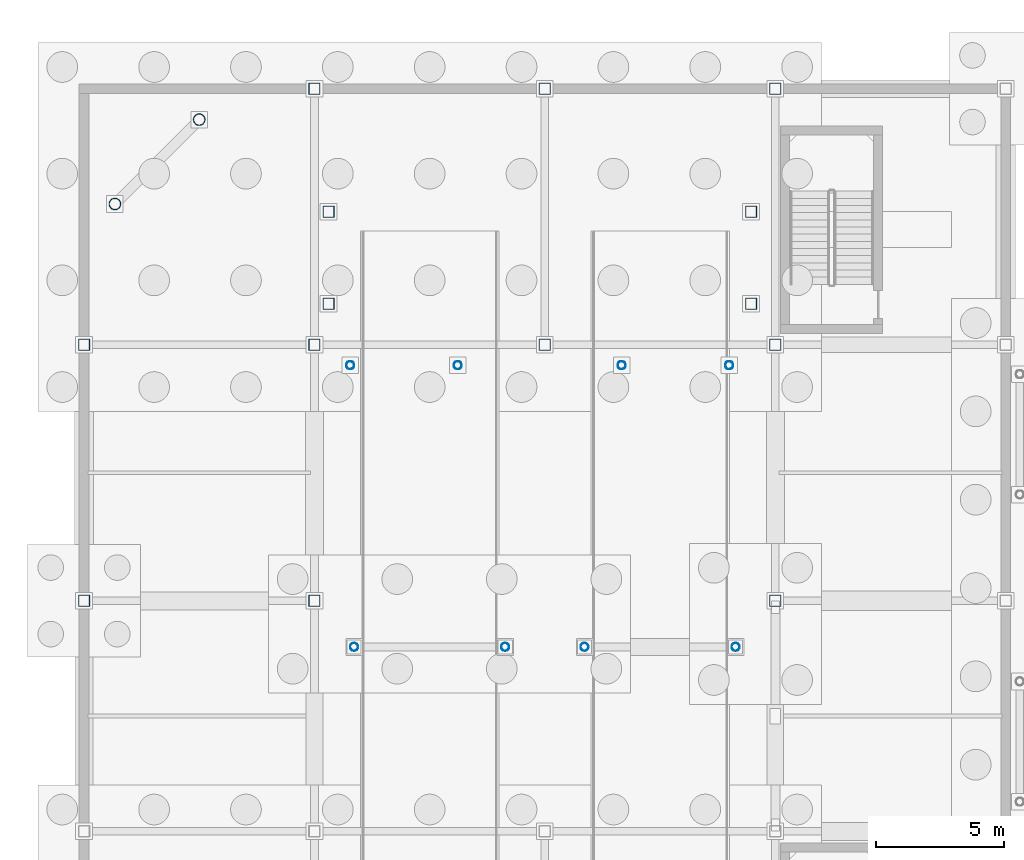
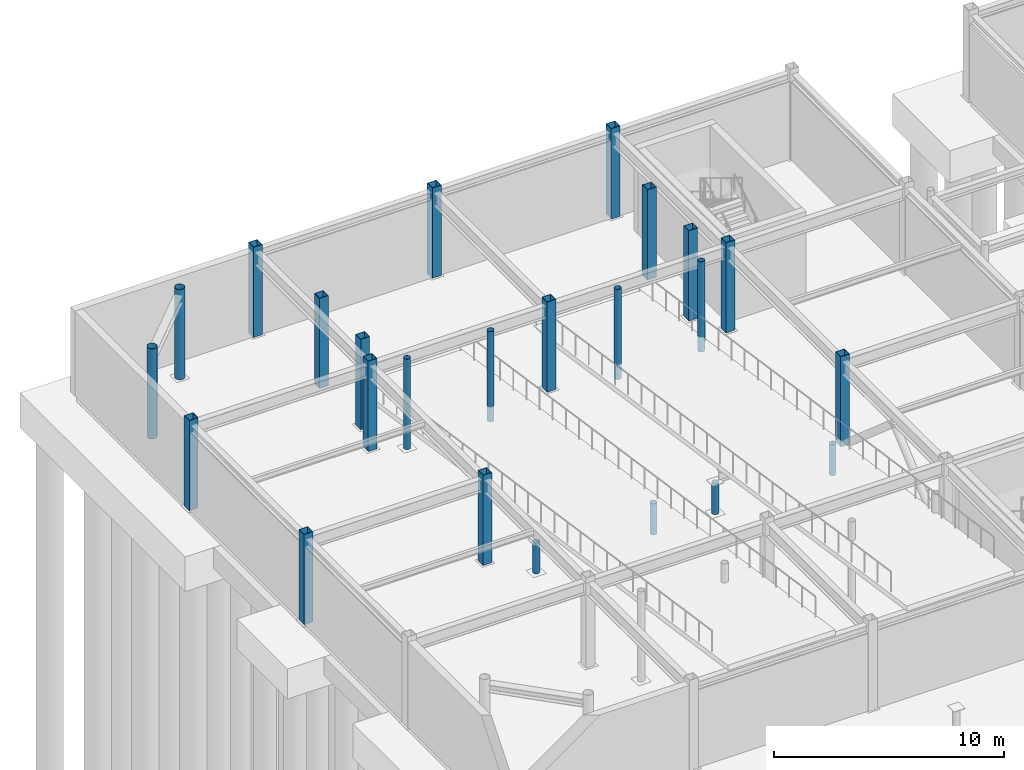
# One storey, part 26 of 74: 24 columns.
"""IFC4 building model written with IfcOpenShell, lengths in metres."""

from ifc_helpers import new_model, si_unit, direction, frame, origin, origin_2d, place, context, subcontext, project, spatial, hollow_rectangle, hollow_circle, extrude, material, material_profile, profile_set, type_object, element, save


model = new_model("IFC4")

# Units and contexts
model_context = context("Model", 3, precision=1e-05, world=origin(), true_north=direction((0.0, 1.0)))
body_context = subcontext(model_context, "Body", "Model", "MODEL_VIEW")
ifc_project = project(units=[si_unit("LENGTHUNIT", "METRE"), si_unit("AREAUNIT", "SQUARE_METRE"), si_unit("VOLUMEUNIT", "CUBIC_METRE"), si_unit("PLANEANGLEUNIT", "RADIAN"), si_unit("MASSUNIT", "GRAM", prefix="KILO")], contexts=[model_context])

# Site, building, storey
site_placement = place(None, origin())
site = spatial("IfcSite", under=ifc_project, at=site_placement, CompositionType="ELEMENT")
building_placement = place(site_placement, origin())
building = spatial("IfcBuilding", under=site, at=building_placement, Name="Suzunagisa Mobility Hub", CompositionType="ELEMENT")
storey_placement = place(building_placement, frame((0.0, 0.0, -4.800048828125)))
storey = spatial("IfcBuildingStorey", under=building, at=storey_placement, Name="B1", CompositionType="ELEMENT", Elevation=-4.800048828125)

# Columns
ifc_material = material(Name="Steel SN490B", Category="steel")
ifc_material_profile_1 = material_profile(ifc_material, hollow_circle(Radius=0.228515625, WallThickness=0.01611328125, at=origin_2d()), Name="CHS-457.2x16.0")
ifc_profile_set_1 = profile_set([ifc_material_profile_1], Name="Steel SN490B")
column_type_1 = type_object("IfcColumnType", Name="Steel Column CL-08 CHS-457.2x16.0", PredefinedType="COLUMN", material=ifc_profile_set_1)
for number, where, z_axis, x_axis, name in (
    (1, (1.205810546875, 113.5, 0.0), (0.0, 0.0, 1.0), (1.0, 0.0, 0.0), "B1 Column 14"),
    (2, (4.5, 116.794189453125, 0.0), (0.0, 0.0, 1.0), (1.0, 0.0, 0.0), "B1 Column 19"),
):
    element("IfcColumn", number, at=place(storey_placement, frame(where, z_axis=z_axis, x_axis=x_axis)), inside=storey, type_object=column_type_1, Name=name, PredefinedType="COLUMN", context=body_context, shape_type="SweptSolid", body=[
        extrude(hollow_circle(Radius=0.228515625, WallThickness=0.01611328125, at=origin_2d()), origin(), (0.0, 0.0, 1.0), 4.800048828125),
    ])
ifc_material_profile_2 = material_profile(ifc_material, hollow_circle(Radius=0.1591796875, WallThickness=0.01025390625, at=origin_2d()), Name="CHS-318.5x10.3")
ifc_profile_set_2 = profile_set([ifc_material_profile_2], Name="Steel SN490B")
column_type_2 = type_object("IfcColumnType", Name="Steel Column CL-09 CHS-318.5x10.3", PredefinedType="COLUMN", material=ifc_profile_set_2)
column_1_placement = place(storey_placement, frame((10.39990234375, 107.199951171875, 0.0), z_axis=(0.0, 0.0, 1.0), x_axis=(1.0, 0.0, 0.0)))
element("IfcColumn", 3, at=column_1_placement, inside=storey, type_object=column_type_2, Name="B1 Column 36", PredefinedType="COLUMN", context=body_context, shape_type="SweptSolid", body=[
    extrude(hollow_circle(Radius=0.1591796875, WallThickness=0.01025390625, at=origin_2d()), origin(), (0.0, 0.0, 1.0), 4.800048828125),
])
column_2_placement = place(storey_placement, frame((10.550048828125, 96.199951171875, 0.0), z_axis=(0.0, 0.0, 1.0), x_axis=(1.0, 0.0, 0.0)))
element("IfcColumn", 4, at=column_2_placement, inside=storey, type_object=column_type_2, Name="B1 Column 37", PredefinedType="COLUMN", context=body_context, shape_type="SweptSolid", body=[
    extrude(hollow_circle(Radius=0.1591796875, WallThickness=0.01025390625, at=origin_2d()), origin(), (0.0, 0.0, 1.0), 1.652099609375),
])
column_3_placement = place(storey_placement, frame((14.60009765625, 107.199951171875, 0.0), z_axis=(0.0, 0.0, 1.0), x_axis=(1.0, 0.0, 0.0)))
element("IfcColumn", 5, at=column_3_placement, inside=storey, type_object=column_type_2, Name="B1 Column 39", PredefinedType="COLUMN", context=body_context, shape_type="SweptSolid", body=[
    extrude(hollow_circle(Radius=0.1591796875, WallThickness=0.01025390625, at=origin_2d()), origin(), (0.0, 0.0, 1.0), 4.800048828125),
])
for number, where, z_axis, x_axis, name in (
    (6, (16.449951171875, 96.199951171875, 0.0), (0.0, 0.0, 1.0), (1.0, 0.0, 0.0), "B1 Column 40"),
    (7, (19.550048828125, 96.199951171875, 0.0), (0.0, 0.0, 1.0), (1.0, 0.0, 0.0), "B1 Column 54"),
):
    element("IfcColumn", number, at=place(storey_placement, frame(where, z_axis=z_axis, x_axis=x_axis)), inside=storey, type_object=column_type_2, Name=name, PredefinedType="COLUMN", context=body_context, shape_type="SweptSolid", body=[
        extrude(hollow_circle(Radius=0.1591796875, WallThickness=0.01025390625, at=origin_2d()), origin(), (0.0, 0.0, 1.0), 1.652099609375),
    ])
for number, where, z_axis, x_axis, name in (
    (8, (21.0, 107.199951171875, 0.0), (0.0, 0.0, 1.0), (1.0, 0.0, 0.0), "B1 Column 56"),
    (9, (25.199951171875, 107.199951171875, 0.0), (0.0, 0.0, 1.0), (1.0, 0.0, 0.0), "B1 Column 58"),
):
    element("IfcColumn", number, at=place(storey_placement, frame(where, z_axis=z_axis, x_axis=x_axis)), inside=storey, type_object=column_type_2, Name=name, PredefinedType="COLUMN", context=body_context, shape_type="SweptSolid", body=[
        extrude(hollow_circle(Radius=0.1591796875, WallThickness=0.01025390625, at=origin_2d()), origin(), (0.0, 0.0, 1.0), 4.800048828125),
    ])
column_4_placement = place(storey_placement, frame((25.449951171875, 96.199951171875, 0.0), z_axis=(0.0, 0.0, 1.0), x_axis=(1.0, 0.0, 0.0)))
element("IfcColumn", 10, at=column_4_placement, inside=storey, type_object=column_type_2, Name="B1 Column 59", PredefinedType="COLUMN", context=body_context, shape_type="SweptSolid", body=[
    extrude(hollow_circle(Radius=0.1591796875, WallThickness=0.01025390625, at=origin_2d()), origin(), (0.0, 0.0, 1.0), 1.652099609375),
])
ifc_material_profile_3 = material_profile(ifc_material, hollow_rectangle(XDim=0.449951171875, YDim=0.449951171875, WallThickness=0.02197265625, at=origin_2d()), Name="BCR-450x450x22")
ifc_profile_set_3 = profile_set([ifc_material_profile_3], Name="Steel SN490B")
column_type_3 = type_object("IfcColumnType", Name="Steel Column CL-17 BCR-450x450x22", PredefinedType="COLUMN", material=ifc_profile_set_3)
for number, where, z_axis, x_axis, name in (
    (11, (0.0, 98.0, 0.0), (0.0, 0.0, 1.0), (1.0, 0.0, 0.0), "B1 Column 9"),
    (12, (0.0, 108.0, 0.0), (0.0, 0.0, 1.0), (1.0, 0.0, 0.0), "B1 Column 10"),
    (13, (9.0, 98.0, 0.0), (0.0, 0.0, 1.0), (1.0, 0.0, 0.0), "B1 Column 30"),
    (14, (9.0, 108.0, 0.0), (0.0, 0.0, 1.0), (1.0, 0.0, 0.0), "B1 Column 31"),
    (15, (9.0, 118.0, 0.0), (0.0, 0.0, 1.0), (1.0, 0.0, 0.0), "B1 Column 32"),
    (16, (9.550048828125, 109.60009765625, 0.0), (0.0, 0.0, 1.0), (1.0, 0.0, 0.0), "B1 Column 33"),
    (17, (9.550048828125, 113.199951171875, 0.0), (0.0, 0.0, 1.0), (1.0, 0.0, 0.0), "B1 Column 34"),
    (18, (18.0, 108.0, 0.0), (0.0, 0.0, 1.0), (1.0, 0.0, 0.0), "B1 Column 52"),
    (19, (18.0, 118.0, 0.0), (0.0, 0.0, 1.0), (1.0, 0.0, 0.0), "B1 Column 53"),
    (20, (26.050048828125, 109.60009765625, 0.0), (0.0, 0.0, 1.0), (1.0, 0.0, 0.0), "B1 Column 60"),
    (21, (26.050048828125, 113.199951171875, 0.0), (0.0, 0.0, 1.0), (1.0, 0.0, 0.0), "B1 Column 61"),
    (22, (27.0, 98.0, 0.0), (0.0, 0.0, 1.0), (1.0, 0.0, 0.0), "B1 Column 72"),
    (23, (27.0, 108.0, 0.0), (0.0, 0.0, 1.0), (1.0, 0.0, 0.0), "B1 Column 73"),
    (24, (27.0, 118.0, 0.0), (0.0, 0.0, 1.0), (1.0, 0.0, 0.0), "B1 Column 74"),
):
    element("IfcColumn", number, at=place(storey_placement, frame(where, z_axis=z_axis, x_axis=x_axis)), inside=storey, type_object=column_type_3, Name=name, PredefinedType="COLUMN", context=body_context, shape_type="SweptSolid", body=[
        extrude(hollow_rectangle(XDim=0.449951171875, YDim=0.449951171875, WallThickness=0.02197265625, at=origin_2d()), origin(), (0.0, 0.0, 1.0), 4.800048828125),
    ])

save(model, "model.ifc")
